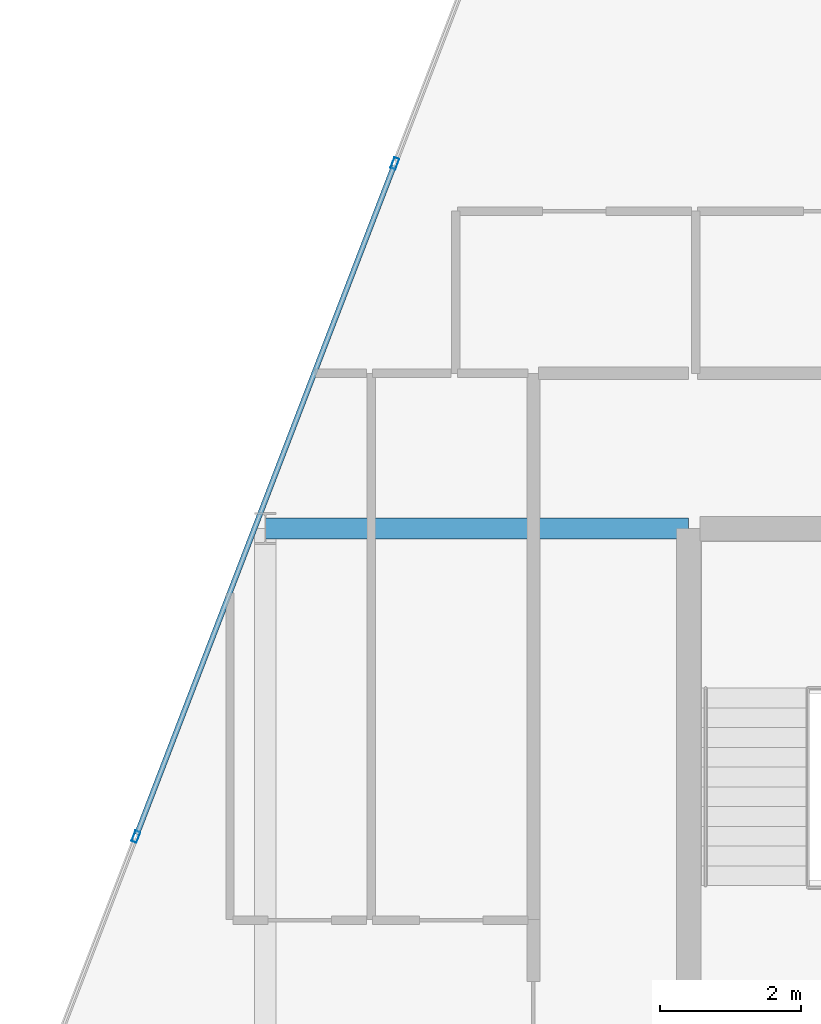
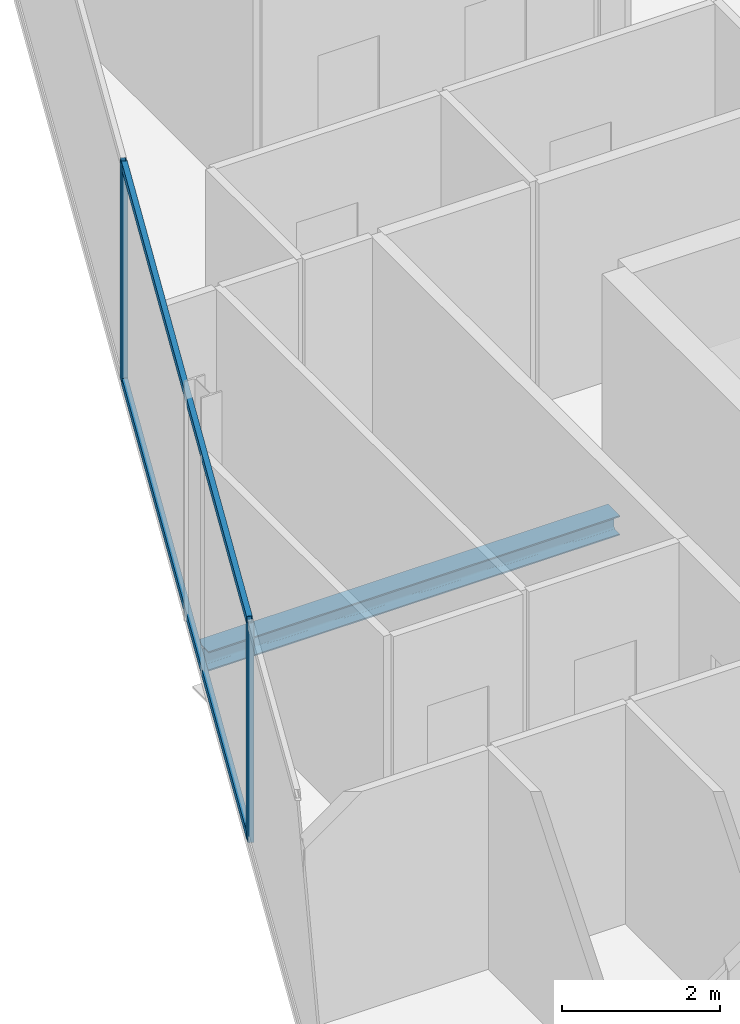
# One storey, part 16 of 29: 4 members, 1 beam, 1 element without a shape of its own.
"""IFC4 building model written with IfcOpenShell, lengths in metres."""

from ifc_helpers import new_model, si_unit, direction, frame, origin, origin_2d, place, context, subcontext, project, spatial, hollow_rectangle, i_section, extrude, material, layer, layer_set, material_profile, profile_set, type_object, element, aggregate, save


model = new_model("IFC4")

# Units and contexts
model_context = context("Model", 3, precision=1e-05, world=origin(), true_north=direction((0.0, 1.0)))
body_context = subcontext(model_context, "Body", "Model", "MODEL_VIEW")
ifc_project = project(units=[si_unit("LENGTHUNIT", "METRE"), si_unit("AREAUNIT", "SQUARE_METRE"), si_unit("VOLUMEUNIT", "CUBIC_METRE"), si_unit("PLANEANGLEUNIT", "RADIAN"), si_unit("MASSUNIT", "GRAM", prefix="KILO")], contexts=[model_context])

# Site, building, storey
site_placement = place(None, origin())
site = spatial("IfcSite", under=ifc_project, at=site_placement, CompositionType="ELEMENT")
building_placement = place(site_placement, origin())
building = spatial("IfcBuilding", under=site, at=building_placement, Name="Keshet Zoharim Tower", CompositionType="ELEMENT")
storey_placement = place(building_placement, frame((0.0, 0.0, 206.89990234375)))
storey = spatial("IfcBuildingStorey", under=building, at=storey_placement, Name="L51", CompositionType="ELEMENT", Elevation=206.89990234375)

# Beam
ifc_material_1 = material(Name="Steel S355", Category="steel")
ifc_material_profile_1 = material_profile(ifc_material_1, i_section(OverallWidth=0.300048828125, OverallDepth=0.300048828125, WebThickness=0.010986328125, FlangeThickness=0.01904296875, FilletRadius=0.027099609375, at=origin_2d()), Name="HEB300")
ifc_profile_set_1 = profile_set([ifc_material_profile_1], Name="Steel S355")
beam_type = type_object("IfcBeamType", Name="BM-PRI-HB300", PredefinedType="BEAM", material=ifc_profile_set_1)
beam_placement = place(storey_placement, frame((9.0, 37.89990234375, -0.4599609375), z_axis=(1.0, 0.0, 0.0), x_axis=(0.0, 1.0, 0.0)))
element("IfcBeam", 1, at=beam_placement, inside=storey, type_object=beam_type, Name="L51 Primary Girder X-017", PredefinedType="BEAM", context=body_context, shape_type="SweptSolid", body=[
    extrude(i_section(OverallWidth=0.300048828125, OverallDepth=0.300048828125, WebThickness=0.010986328125, FlangeThickness=0.01904296875, FilletRadius=0.027099609375, at=origin_2d()), origin(), (0.0, 0.0, 1.0), 6.0),
])

# Curtain wall, members
ifc_material_2 = material(Name="Aluminium 6063-T6", Category="aluminium")
ifc_layer = layer(ifc_material_2, 0.139892578125)
ifc_layer_set = layer_set([ifc_layer], Name="Aluminium 6063-T6")
curtain_wall_type = type_object("IfcCurtainWallType", Name="CW-SYS-05", PredefinedType="NOTDEFINED", material=ifc_layer_set)
curtain_wall_placement = place(storey_placement, origin())
curtain_wall = element("IfcCurtainWall", 2, at=curtain_wall_placement, inside=storey, type_object=curtain_wall_type, Name="L51 Unitised Curtain Wall 13", PredefinedType="NOTDEFINED")
ifc_material_profile_2 = material_profile(ifc_material_2, hollow_rectangle(XDim=0.074951171875, YDim=0.159912109375, WallThickness=0.00390625, at=origin_2d()), Name="MUL-75x160")
ifc_profile_set_2 = profile_set([ifc_material_profile_2], Name="Aluminium 6063-T6")
member_type_1 = type_object("IfcMemberType", Name="CWM-M15", PredefinedType="MULLION", material=ifc_profile_set_2)
member_1_placement = place(storey_placement, frame((7.1669921875, 33.53466796875, 0.0), z_axis=(0.0, 0.0, 1.0), x_axis=(-0.933341404361, 0.358990003907, 0.0)))
member_1 = element("IfcMember", 3, at=member_1_placement, type_object=member_type_1, Name="CW-05 mullion 2", PredefinedType="MULLION", context=body_context, shape_type="SweptSolid", body=[
    extrude(hollow_rectangle(XDim=0.074951171875, YDim=0.159912109375, WallThickness=0.00390625, at=origin_2d()), origin(), (0.0, 0.0, 1.0), 3.39013671875),
])
member_2_placement = place(storey_placement, frame((10.8369140625, 43.076416015625, 0.0), z_axis=(0.0, 0.0, 1.0), x_axis=(-0.933341404361, 0.358990003907, 0.0)))
member_2 = element("IfcMember", 4, at=member_2_placement, type_object=member_type_1, Name="CW-05 mullion 3", PredefinedType="MULLION", context=body_context, shape_type="SweptSolid", body=[
    extrude(hollow_rectangle(XDim=0.074951171875, YDim=0.159912109375, WallThickness=0.00390625, at=origin_2d()), origin(), (0.0, 0.0, 1.0), 3.39013671875),
])
ifc_material_profile_3 = material_profile(ifc_material_2, hollow_rectangle(XDim=0.074951171875, YDim=0.1201171875, WallThickness=0.00390625, at=origin_2d()), Name="TRN-75x120")
ifc_profile_set_3 = profile_set([ifc_material_profile_3], Name="Aluminium 6063-T6")
member_type_2 = type_object("IfcMemberType", Name="CWT-T12", PredefinedType="USERDEFINED", material=ifc_profile_set_3)
member_3_placement = place(storey_placement, frame((7.179443359375, 33.5673828125, 0.03515625), z_axis=(0.359003248899, 0.933336309848, 0.0), x_axis=(-0.933336309848, 0.359003248899, 0.0)))
member_3 = element("IfcMember", 5, at=member_3_placement, type_object=member_type_2, Name="CW-05 transom 2.1", ObjectType="TRANSOM", PredefinedType="USERDEFINED", context=body_context, shape_type="SweptSolid", body=[
    extrude(hollow_rectangle(XDim=0.074951171875, YDim=0.1201171875, WallThickness=0.00390625, at=origin_2d()), origin(), (0.0, 0.0, 1.0), 10.153076171875),
])
member_4_placement = place(storey_placement, frame((7.179443359375, 33.5673828125, 3.35498046875), z_axis=(0.359003248899, 0.933336309848, 0.0), x_axis=(-0.933336309848, 0.359003248899, 0.0)))
member_4 = element("IfcMember", 6, at=member_4_placement, type_object=member_type_2, Name="CW-05 transom 2.2", ObjectType="TRANSOM", PredefinedType="USERDEFINED", context=body_context, shape_type="SweptSolid", body=[
    extrude(hollow_rectangle(XDim=0.074951171875, YDim=0.1201171875, WallThickness=0.00390625, at=origin_2d()), origin(), (0.0, 0.0, 1.0), 10.153076171875),
])
aggregate(curtain_wall, [member_1, member_2, member_3, member_4])

save(model, "model.ifc")
